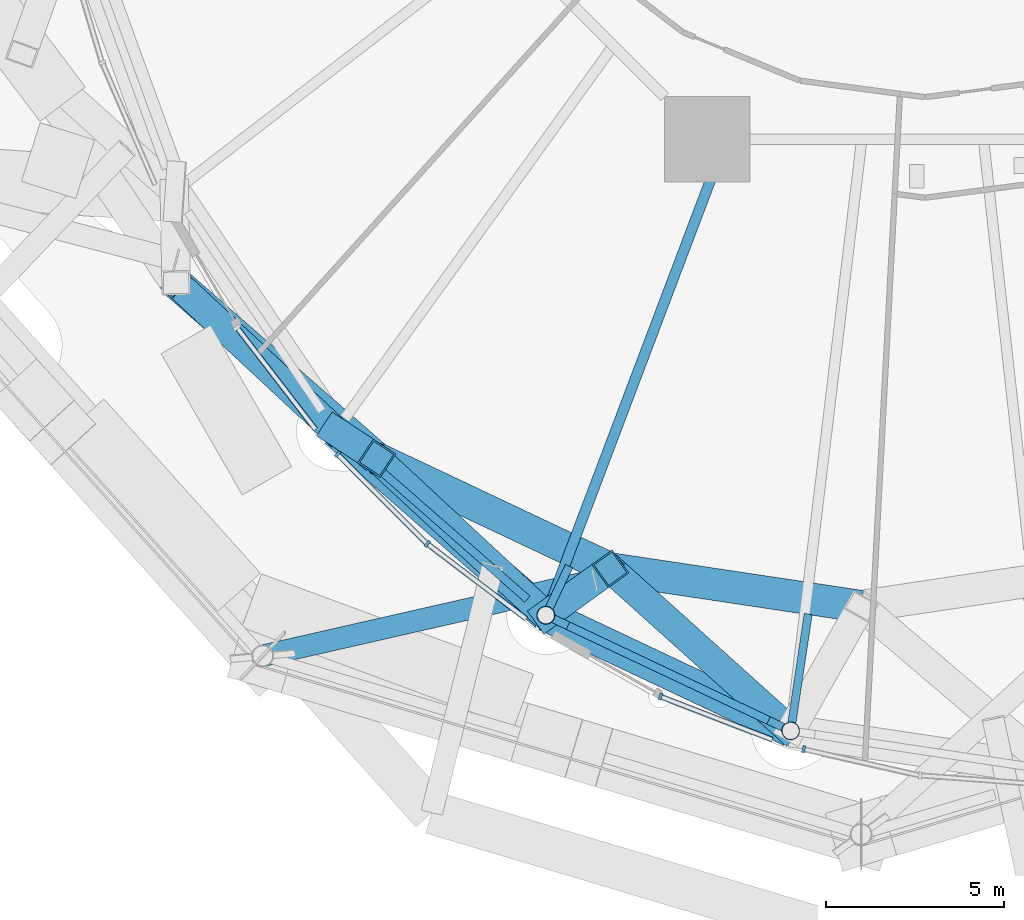
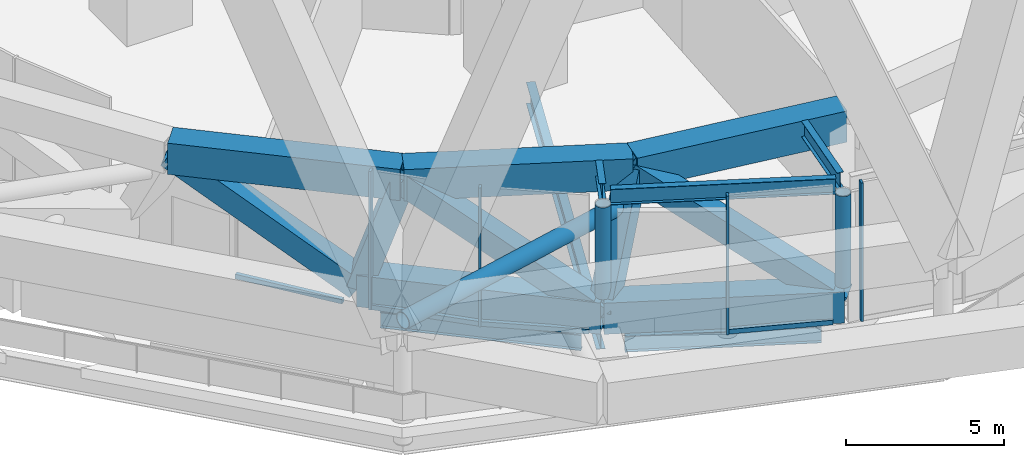
# One storey, part 3 of 51: 16 beams, 11 members, 5 elements without a shape of their own.
"""IFC4 building model written with IfcOpenShell, lengths in metres."""

from ifc_helpers import new_model, si_unit, direction, frame, origin, origin_2d, place, context, subcontext, project, spatial, rectangle, hollow_rectangle, hollow_circle, i_section, extrude, material, layer, layer_set, material_profile, profile_set, type_object, element, aggregate, save


model = new_model("IFC4")

# Units and contexts
model_context = context("Model", 3, precision=1e-05, world=origin(), true_north=direction((0.0, 1.0)))
body_context = subcontext(model_context, "Body", "Model", "MODEL_VIEW")
ifc_project = project(units=[si_unit("LENGTHUNIT", "METRE"), si_unit("AREAUNIT", "SQUARE_METRE"), si_unit("VOLUMEUNIT", "CUBIC_METRE"), si_unit("PLANEANGLEUNIT", "RADIAN"), si_unit("MASSUNIT", "GRAM", prefix="KILO")], contexts=[model_context])

# Site, building, storey
site_placement = place(None, origin())
site = spatial("IfcSite", under=ifc_project, at=site_placement, CompositionType="ELEMENT")
building_placement = place(site_placement, origin())
building = spatial("IfcBuilding", under=site, at=building_placement, Name="Nagisa Residences", CompositionType="ELEMENT")
storey_placement = place(building_placement, frame((0.0, 0.0, 67.699951171875)))
storey = spatial("IfcBuildingStorey", under=building, at=storey_placement, Name="L16", CompositionType="ELEMENT", Elevation=67.699951171875)

# Beams
ifc_material_1 = material(Name="Steel ASTM A572 Gr 50", Category="steel")
ifc_material_profile_1 = material_profile(ifc_material_1, hollow_rectangle(XDim=0.89990234375, YDim=1.199951171875, WallThickness=0.050048828125, at=origin_2d()), Name="BX 900x1200x50")
ifc_profile_set_1 = profile_set([ifc_material_profile_1], Name="Steel ASTM A572 Gr 50")
beam_type_1 = type_object("IfcBeamType", Name="Belt chord 1 BX 900x1200x50", PredefinedType="BEAM", material=ifc_profile_set_1)
beam_1_placement = place(storey_placement, frame((-16.552490234375, -22.98095703125, 0.60009765625), z_axis=(0.752574766438, -0.658506811598, 0.0), x_axis=(0.658506811598, 0.752574766438, 0.0)))
element("IfcBeam", 1, at=beam_1_placement, inside=storey, type_object=beam_type_1, Name="beam:L16:bt1b16", PredefinedType="BEAM", context=body_context, shape_type="SweptSolid", body=[
    extrude(hollow_rectangle(XDim=0.89990234375, YDim=1.199951171875, WallThickness=0.050048828125, at=origin_2d()), origin(), (0.0, 0.0, 1.0), 7.84326171875),
])
beam_2_placement = place(storey_placement, frame((-21.02978515625, -18.813232421875, 4.739990234375), z_axis=(0.752532238076, -0.658555411986, 0.0), x_axis=(0.658555411986, 0.752532238076, 0.0)))
element("IfcBeam", 2, at=beam_2_placement, inside=storey, type_object=beam_type_1, Name="beam:L16:bt1t16", PredefinedType="BEAM", context=body_context, shape_type="SweptSolid", body=[
    extrude(hollow_rectangle(XDim=0.89990234375, YDim=1.199951171875, WallThickness=0.050048828125, at=origin_2d()), origin(), (0.0, 0.0, 1.0), 7.484375),
])
beam_3_placement = place(storey_placement, frame((-10.64990234375, -28.145751953125, 0.60009765625), z_axis=(0.904198348798, -0.427112802467, 0.0), x_axis=(0.427112802467, 0.904198348798, 0.0)))
element("IfcBeam", 3, at=beam_3_placement, inside=storey, type_object=beam_type_1, Name="beam:L16:bt1b17", PredefinedType="BEAM", context=body_context, shape_type="SweptSolid", body=[
    extrude(hollow_rectangle(XDim=0.89990234375, YDim=1.199951171875, WallThickness=0.050048828125, at=origin_2d()), origin(), (0.0, 0.0, 1.0), 7.601806640625),
])
beam_4_placement = place(storey_placement, frame((-15.3974609375, -23.7421875, 4.739990234375), z_axis=(0.904186908597, -0.427137020547, 0.0), x_axis=(0.427137020547, 0.904186908597, 0.0)))
element("IfcBeam", 4, at=beam_4_placement, inside=storey, type_object=beam_type_1, Name="beam:L16:bt1t17", PredefinedType="BEAM", context=body_context, shape_type="SweptSolid", body=[
    extrude(hollow_rectangle(XDim=0.89990234375, YDim=1.199951171875, WallThickness=0.050048828125, at=origin_2d()), origin(), (0.0, 0.0, 1.0), 7.25390625),
])
beam_5_placement = place(storey_placement, frame((-8.838623046875, -26.840576171875, 4.739990234375), z_axis=(0.988918733765, -0.148457866103, 0.0), x_axis=(0.148457866103, 0.988918733765, 0.0)))
element("IfcBeam", 5, at=beam_5_placement, inside=storey, type_object=beam_type_1, Name="beam:L16:bt1t18", PredefinedType="BEAM", context=body_context, shape_type="SweptSolid", body=[
    extrude(hollow_rectangle(XDim=0.89990234375, YDim=1.199951171875, WallThickness=0.050048828125, at=origin_2d()), origin(), (0.0, 0.0, 1.0), 7.117431640625),
])
ifc_material_2 = material(Name="Steel ASTM A572 Gr 50", Category="steel")
ifc_material_profile_2 = material_profile(ifc_material_2, hollow_rectangle(XDim=0.800048828125, YDim=0.800048828125, WallThickness=0.044921875, at=origin_2d()), Name="BX 800x800x45")
ifc_profile_set_2 = profile_set([ifc_material_profile_2], Name="Steel ASTM A572 Gr 50")
beam_type_2 = type_object("IfcBeamType", Name="Belt diagonal 1 BX 800x800x45", PredefinedType="BEAM", material=ifc_profile_set_2)
beam_6_placement = place(storey_placement, frame((-16.552490234375, -22.98095703125, 0.60009765625), z_axis=(-0.606176622461, 0.564264197723, 0.560496045972), x_axis=(-0.681349224263, -0.7319584924, 0.0)))
element("IfcBeam", 6, at=beam_6_placement, inside=storey, type_object=beam_type_2, Name="beam:L16:bt1da16", PredefinedType="BEAM", context=body_context, shape_type="SweptSolid", body=[
    extrude(hollow_rectangle(XDim=0.800048828125, YDim=0.800048828125, WallThickness=0.044921875, at=origin_2d()), origin(), (0.0, 0.0, 1.0), 7.38623046875),
])
beam_7_placement = place(storey_placement, frame((-16.552490234375, -22.98095703125, 0.60009765625), z_axis=(0.264618119394, -0.174398498472, 0.948452642265), x_axis=(0.550293787363, 0.834971105841, 0.0)))
element("IfcBeam", 7, at=beam_7_placement, inside=storey, type_object=beam_type_2, Name="beam:L16:bt1db16", PredefinedType="BEAM", context=body_context, shape_type="SweptSolid", body=[
    extrude(hollow_rectangle(XDim=0.800048828125, YDim=0.800048828125, WallThickness=0.044921875, at=origin_2d()), origin(), (0.0, 0.0, 1.0), 4.364990234375),
])
beam_8_placement = place(storey_placement, frame((-10.64990234375, -28.145751953125, 0.60009765625), z_axis=(-0.617716273014, 0.572958367601, 0.538651385452), x_axis=(-0.680046077342, -0.733169375173, 0.0)))
element("IfcBeam", 8, at=beam_8_placement, inside=storey, type_object=beam_type_2, Name="beam:L16:bt1da17", PredefinedType="BEAM", context=body_context, shape_type="SweptSolid", body=[
    extrude(hollow_rectangle(XDim=0.800048828125, YDim=0.800048828125, WallThickness=0.044921875, at=origin_2d()), origin(), (0.0, 0.0, 1.0), 7.685546875),
])
beam_9_placement = place(storey_placement, frame((-10.64990234375, -28.145751953125, 0.60009765625), z_axis=(0.385091674329, 0.277490240054, 0.880172465507), x_axis=(-0.584615810945, 0.811310269622, 0.0)))
element("IfcBeam", 9, at=beam_9_placement, inside=storey, type_object=beam_type_2, Name="beam:L16:bt1db17", PredefinedType="BEAM", context=body_context, shape_type="SweptSolid", body=[
    extrude(hollow_rectangle(XDim=0.800048828125, YDim=0.800048828125, WallThickness=0.044921875, at=origin_2d()), origin(), (0.0, 0.0, 1.0), 4.70361328125),
])
beam_10_placement = place(storey_placement, frame((-3.7763671875, -31.392578125, 0.60009765625), z_axis=(-0.635339073253, 0.571299591069, 0.519577750912), x_axis=(-0.668637752652, -0.743588297197, 0.0)))
element("IfcBeam", 10, at=beam_10_placement, inside=storey, type_object=beam_type_2, Name="beam:L16:bt1da18", PredefinedType="BEAM", context=body_context, shape_type="SweptSolid", body=[
    extrude(hollow_rectangle(XDim=0.800048828125, YDim=0.800048828125, WallThickness=0.044921875, at=origin_2d()), origin(), (0.0, 0.0, 1.0), 7.9677734375),
])

# Curtain wall, member
ifc_material_3 = material(Name="Aluminium curtain wall system", Category="aluminium")
ifc_layer = layer(ifc_material_3, 0.159912109375)
ifc_layer_set = layer_set([ifc_layer], Name="CW2 CURTAIN WALL")
curtain_wall_type = type_object("IfcCurtainWallType", Name="CW2 CURTAIN WALL", PredefinedType="NOTDEFINED", material=ifc_layer_set)
curtain_wall_1_placement = place(storey_placement, origin())
curtain_wall_1 = element("IfcCurtainWall", 11, at=curtain_wall_1_placement, inside=storey, type_object=curtain_wall_type, Name="cw:CW2:L16:30", PredefinedType="NOTDEFINED")
ifc_material_4 = material(Name="Aluminium", Category="aluminium")
ifc_material_profile_3 = material_profile(ifc_material_4, rectangle(XDim=0.199951171875, YDim=0.080078125, at=origin_2d()), Name="CW2 MULLION 200x80")
ifc_profile_set_3 = profile_set([ifc_material_profile_3], Name="Aluminium")
member_type_1 = type_object("IfcMemberType", Name="CW2 MULLION 200x80", PredefinedType="MULLION", material=ifc_profile_set_3)
member_1_placement = place(storey_placement, frame((-16.502685546875, -23.6240234375, 0.0), z_axis=(0.0, 0.0, 1.0), x_axis=(0.706376885714, 0.707835924016, 0.0)))
member_1 = element("IfcMember", 12, at=member_1_placement, type_object=member_type_1, Name="CW2 mullion", PredefinedType="MULLION", context=body_context, shape_type="SweptSolid", body=[
    extrude(rectangle(XDim=0.199951171875, YDim=0.080078125, at=origin_2d()), origin(), (0.0, 0.0, 1.0), 5.340087890625),
])

curtain_wall_2_placement = place(storey_placement, origin())
curtain_wall_2 = element("IfcCurtainWall", 13, at=curtain_wall_2_placement, inside=storey, type_object=curtain_wall_type, Name="cw:CW2:L16:31", PredefinedType="NOTDEFINED")
member_2_placement = place(storey_placement, frame((-13.973876953125, -26.14111328125, 0.0), z_axis=(0.0, 0.0, 1.0), x_axis=(0.605255421737, 0.79603132756, 0.0)))
member_2 = element("IfcMember", 14, at=member_2_placement, type_object=member_type_1, Name="CW2 mullion", PredefinedType="MULLION", context=body_context, shape_type="SweptSolid", body=[
    extrude(rectangle(XDim=0.199951171875, YDim=0.080078125, at=origin_2d()), origin(), (0.0, 0.0, 1.0), 5.340087890625),
])

curtain_wall_3_placement = place(storey_placement, origin())
curtain_wall_3 = element("IfcCurtainWall", 15, at=curtain_wall_3_placement, inside=storey, type_object=curtain_wall_type, Name="cw:CW2:L16:33", PredefinedType="NOTDEFINED")
member_3_placement = place(storey_placement, frame((-7.431640625, -30.427734375, 0.0), z_axis=(0.0, 0.0, 1.0), x_axis=(0.360327770268, 0.932825759707, 0.0)))
member_3 = element("IfcMember", 16, at=member_3_placement, type_object=member_type_1, Name="CW2 mullion", PredefinedType="MULLION", context=body_context, shape_type="SweptSolid", body=[
    extrude(rectangle(XDim=0.199951171875, YDim=0.080078125, at=origin_2d()), origin(), (0.0, 0.0, 1.0), 5.340087890625),
])

curtain_wall_4_placement = place(storey_placement, origin())
curtain_wall_4 = element("IfcCurtainWall", 17, at=curtain_wall_4_placement, inside=storey, type_object=curtain_wall_type, Name="cw:CW2:L16:34", PredefinedType="NOTDEFINED")
member_4_placement = place(storey_placement, frame((-3.41015625, -31.90576171875, 0.0), z_axis=(0.0, 0.0, 1.0), x_axis=(0.2207639201, 0.975327274089, 0.0)))
member_4 = element("IfcMember", 18, at=member_4_placement, type_object=member_type_1, Name="CW2 mullion", PredefinedType="MULLION", context=body_context, shape_type="SweptSolid", body=[
    extrude(rectangle(XDim=0.199951171875, YDim=0.080078125, at=origin_2d()), origin(), (0.0, 0.0, 1.0), 5.340087890625),
])
aggregate(curtain_wall_4, [member_4])

curtain_wall_5_placement = place(storey_placement, origin())
curtain_wall_5 = element("IfcCurtainWall", 19, at=curtain_wall_5_placement, inside=storey, type_object=curtain_wall_type, Name="cw:CW2:L16:29", PredefinedType="NOTDEFINED")
ifc_material_5 = material(Name="Aluminium", Category="aluminium")
ifc_material_profile_4 = material_profile(ifc_material_5, rectangle(XDim=0.139892578125, YDim=0.179931640625, at=origin_2d()), Name="CW2 TRANSOM 140x180")
ifc_profile_set_4 = profile_set([ifc_material_profile_4], Name="Aluminium")
member_type_2 = type_object("IfcMemberType", Name="CW2 TRANSOM 140x180", PredefinedType="USERDEFINED", material=ifc_profile_set_4)
member_5_placement = place(storey_placement, frame((-19.343994140625, -20.040283203125, 0.090087890625), z_axis=(0.61045449984, -0.792051326383, 0.0), x_axis=(0.792051326383, 0.61045449984, 0.0)))
member_5 = element("IfcMember", 20, at=member_5_placement, type_object=member_type_2, Name="CW2 transom", ObjectType="TRANSOM", PredefinedType="USERDEFINED", context=body_context, shape_type="SweptSolid", body=[
    extrude(rectangle(XDim=0.139892578125, YDim=0.179931640625, at=origin_2d()), origin(), (0.0, 0.0, 1.0), 3.6474609375),
])
aggregate(curtain_wall_5, [member_5])

# Member
member_6_placement = place(storey_placement, frame((-16.531005859375, -23.595703125, 0.090087890625), z_axis=(0.707822631018, -0.706390205919, 0.0), x_axis=(0.706390205919, 0.707822631018, 0.0)))
member_6 = element("IfcMember", 21, at=member_6_placement, type_object=member_type_2, Name="CW2 transom", ObjectType="TRANSOM", PredefinedType="USERDEFINED", context=body_context, shape_type="SweptSolid", body=[
    extrude(rectangle(XDim=0.139892578125, YDim=0.179931640625, at=origin_2d()), origin(), (0.0, 0.0, 1.0), 3.5791015625),
])

aggregate(curtain_wall_1, [member_1, member_6])

member_7_placement = place(storey_placement, frame((-14.005615234375, -26.116943359375, 0.090087890625), z_axis=(0.79604564538, -0.605236590493, 0.0), x_axis=(0.605236590493, 0.79604564538, 0.0)))
member_7 = element("IfcMember", 22, at=member_7_placement, type_object=member_type_2, Name="CW2 transom", ObjectType="TRANSOM", PredefinedType="USERDEFINED", context=body_context, shape_type="SweptSolid", body=[
    extrude(rectangle(XDim=0.139892578125, YDim=0.179931640625, at=origin_2d()), origin(), (0.0, 0.0, 1.0), 3.51220703125),
])

aggregate(curtain_wall_2, [member_2, member_7])

member_8_placement = place(storey_placement, frame((-7.468994140625, -30.413330078125, 0.090087890625), z_axis=(0.932832137481, -0.36031125889, 0.0), x_axis=(0.36031125889, 0.932832137481, 0.0)))
member_8 = element("IfcMember", 23, at=member_8_placement, type_object=member_type_2, Name="CW2 transom", ObjectType="TRANSOM", PredefinedType="USERDEFINED", context=body_context, shape_type="SweptSolid", body=[
    extrude(rectangle(XDim=0.139892578125, YDim=0.179931640625, at=origin_2d()), origin(), (0.0, 0.0, 1.0), 3.40087890625),
])

aggregate(curtain_wall_3, [member_3, member_8])

ifc_material_6 = material(Name="Steel ASTM A572 Gr 65", Category="steel")
ifc_material_profile_5 = material_profile(ifc_material_6, hollow_circle(Radius=0.304931640625, WallThickness=0.02490234375, at=origin_2d()), Name="CHS 610x25")
ifc_profile_set_5 = profile_set([ifc_material_profile_5], Name="Steel ASTM A572 Gr 65")
member_type_3 = type_object("IfcMemberType", Name="Cage strut CHS 610x25", PredefinedType="STRUT", material=ifc_profile_set_5)
member_9_placement = place(storey_placement, frame((-18.597412109375, -29.28466796875, 3.699951171875), z_axis=(0.975093629613, 0.221793628149, 0.0), x_axis=(-0.221793628149, 0.975093629613, 0.0)))
element("IfcMember", 24, at=member_9_placement, inside=storey, type_object=member_type_3, Name="mem:L16:bt1st2b09", PredefinedType="STRUT", context=body_context, shape_type="SweptSolid", body=[
    extrude(hollow_circle(Radius=0.304931640625, WallThickness=0.02490234375, at=origin_2d()), origin(), (0.0, 0.0, 1.0), 9.541259765625),
])

# Beam
ifc_material_7 = material(Name="Steel ASTM A572 Gr 50", Category="steel")
ifc_material_profile_6 = material_profile(ifc_material_7, i_section(OverallWidth=0.22802734375, OverallDepth=0.60302734375, WebThickness=0.010498046875, FlangeThickness=0.014892578125, at=origin_2d()), Name="W610x101")
ifc_profile_set_6 = profile_set([ifc_material_profile_6], Name="Steel ASTM A572 Gr 50")
beam_type_3 = type_object("IfcBeamType", Name="Garden edge beam W610x101", PredefinedType="BEAM", material=ifc_profile_set_6)
beam_11_placement = place(storey_placement, frame((-10.4384765625, -28.245849609375, 5.03857421875), z_axis=(0.904203493361, -0.42710191125, 0.0), x_axis=(0.42710191125, 0.904203493361, 0.0)))
element("IfcBeam", 25, at=beam_11_placement, inside=storey, type_object=beam_type_3, Name="beam:L16:bt1ge17", PredefinedType="BEAM", context=body_context, shape_type="SweptSolid", body=[
    extrude(i_section(OverallWidth=0.22802734375, OverallDepth=0.60302734375, WebThickness=0.010498046875, FlangeThickness=0.014892578125, at=origin_2d()), origin(), (0.0, 0.0, 1.0), 7.1337890625),
])

# Members
ifc_material_8 = material(Name="Steel ASTM A572 Gr 65", Category="steel")
ifc_material_profile_7 = material_profile(ifc_material_8, hollow_circle(Radius=0.25390625, WallThickness=0.02001953125, at=origin_2d()), Name="CHS 508x20")
ifc_profile_set_7 = profile_set([ifc_material_profile_7], Name="Steel ASTM A572 Gr 65")
member_type_4 = type_object("IfcMemberType", Name="Garden edge post CHS 508x20", PredefinedType="POST", material=ifc_profile_set_7)
for number, where, z_axis, x_axis, name in (
    (26, (-10.64990234375, -28.145751953125, 1.199951171875), (0.0, 0.0, 1.0), (1.0, 0.0, 0.0), "mem:L16:gp117"),
    (27, (-3.7763671875, -31.392578125, 1.199951171875), (0.0, 0.0, 1.0), (1.0, 0.0, 0.0), "mem:L16:gp118"),
):
    element("IfcMember", number, at=place(storey_placement, frame(where, z_axis=z_axis, x_axis=x_axis)), inside=storey, type_object=member_type_4, Name=name, PredefinedType="POST", context=body_context, shape_type="SweptSolid", body=[
        extrude(hollow_circle(Radius=0.25390625, WallThickness=0.02001953125, at=origin_2d()), origin(), (0.0, 0.0, 1.0), 3.537109375),
    ])

# Beams
ifc_material_9 = material(Name="Steel ASTM A572 Gr 50", Category="steel")
ifc_material_profile_8 = material_profile(ifc_material_9, i_section(OverallWidth=0.22802734375, OverallDepth=0.60302734375, WebThickness=0.010498046875, FlangeThickness=0.014892578125, at=origin_2d()), Name="W610x101")
ifc_profile_set_8 = profile_set([ifc_material_profile_8], Name="Steel ASTM A572 Gr 50")
beam_type_4 = type_object("IfcBeamType", Name="Garden radial beam W610x101", PredefinedType="BEAM", material=ifc_profile_set_8)
beam_12_placement = place(storey_placement, frame((-10.550048828125, -27.934326171875, 5.03857421875), z_axis=(0.427118056115, 0.904195867133, 0.0), x_axis=(-0.904195867133, 0.427118056115, 0.0)))
element("IfcBeam", 28, at=beam_12_placement, inside=storey, type_object=beam_type_4, Name="beam:L16:bt1gr17", PredefinedType="BEAM", context=body_context, shape_type="SweptSolid", body=[
    extrude(i_section(OverallWidth=0.22802734375, OverallDepth=0.60302734375, WebThickness=0.010498046875, FlangeThickness=0.014892578125, at=origin_2d()), origin(), (0.0, 0.0, 1.0), 1.2900390625),
])
beam_13_placement = place(storey_placement, frame((-3.74169921875, -31.1611328125, 5.03857421875), z_axis=(0.148495195467, 0.988913129109, 0.0), x_axis=(-0.988913129109, 0.148495195467, 0.0)))
element("IfcBeam", 29, at=beam_13_placement, inside=storey, type_object=beam_type_4, Name="beam:L16:bt1gr18", PredefinedType="BEAM", context=body_context, shape_type="SweptSolid", body=[
    extrude(i_section(OverallWidth=0.22802734375, OverallDepth=0.60302734375, WebThickness=0.010498046875, FlangeThickness=0.014892578125, at=origin_2d()), origin(), (0.0, 0.0, 1.0), 3.0859375),
])
ifc_material_10 = material(Name="Steel ASTM A572 Gr 50", Category="steel")
ifc_material_profile_9 = material_profile(ifc_material_10, i_section(OverallWidth=0.22900390625, OverallDepth=0.612060546875, WebThickness=0.011962890625, FlangeThickness=0.01953125, at=origin_2d()), Name="W610x125")
ifc_profile_set_9 = profile_set([ifc_material_profile_9], Name="Steel ASTM A572 Gr 50")
beam_type_5 = type_object("IfcBeamType", Name="Perimeter ring beam W610x125", PredefinedType="BEAM", material=ifc_profile_set_9)
beam_14_placement = place(storey_placement, frame((-16.0361328125, -23.432861328125, -0.656005859375), z_axis=(0.752574357292, -0.658507279191, 0.0), x_axis=(0.658507279191, 0.752574357292, 0.0)))
element("IfcBeam", 30, at=beam_14_placement, inside=storey, type_object=beam_type_5, Name="beam:L16:pb16", PredefinedType="BEAM", context=body_context, shape_type="SweptSolid", body=[
    extrude(i_section(OverallWidth=0.22900390625, OverallDepth=0.612060546875, WebThickness=0.011962890625, FlangeThickness=0.01953125, at=origin_2d()), origin(), (0.0, 0.0, 1.0), 6.47021484375),
])
beam_15_placement = place(storey_placement, frame((-10.02880859375, -28.439208984375, -0.656005859375), z_axis=(0.904208275867, -0.427091786216, 0.0), x_axis=(0.427091786216, 0.904208275867, 0.0)))
element("IfcBeam", 31, at=beam_15_placement, inside=storey, type_object=beam_type_5, Name="beam:L16:pb17", PredefinedType="BEAM", context=body_context, shape_type="SweptSolid", body=[
    extrude(i_section(OverallWidth=0.22900390625, OverallDepth=0.612060546875, WebThickness=0.011962890625, FlangeThickness=0.01953125, at=origin_2d()), origin(), (0.0, 0.0, 1.0), 6.227294921875),
])
ifc_material_11 = material(Name="Steel ASTM A572 Gr 50", Category="steel")
ifc_material_profile_10 = material_profile(ifc_material_11, i_section(OverallWidth=0.2919921875, OverallDepth=0.8349609375, WebThickness=0.013916015625, FlangeThickness=0.018798828125, at=origin_2d()), Name="W840x176")
ifc_profile_set_10 = profile_set([ifc_material_profile_10], Name="Steel ASTM A572 Gr 50")
beam_type_6 = type_object("IfcBeamType", Name="Radial beam W840x176", PredefinedType="BEAM", material=ifc_profile_set_10)
beam_16_placement = place(storey_placement, frame((-10.493896484375, -27.7333984375, -0.767333984375), z_axis=(0.353892097416, 0.935286257456, 0.0), x_axis=(-0.935286257456, 0.353892097416, 0.0)))
element("IfcBeam", 32, at=beam_16_placement, inside=storey, type_object=beam_type_6, Name="beam:L16:rb17", PredefinedType="BEAM", context=body_context, shape_type="SweptSolid", body=[
    extrude(i_section(OverallWidth=0.2919921875, OverallDepth=0.8349609375, WebThickness=0.013916015625, FlangeThickness=0.018798828125, at=origin_2d()), origin(), (0.0, 0.0, 1.0), 13.705078125),
])

save(model, "model.ifc")
